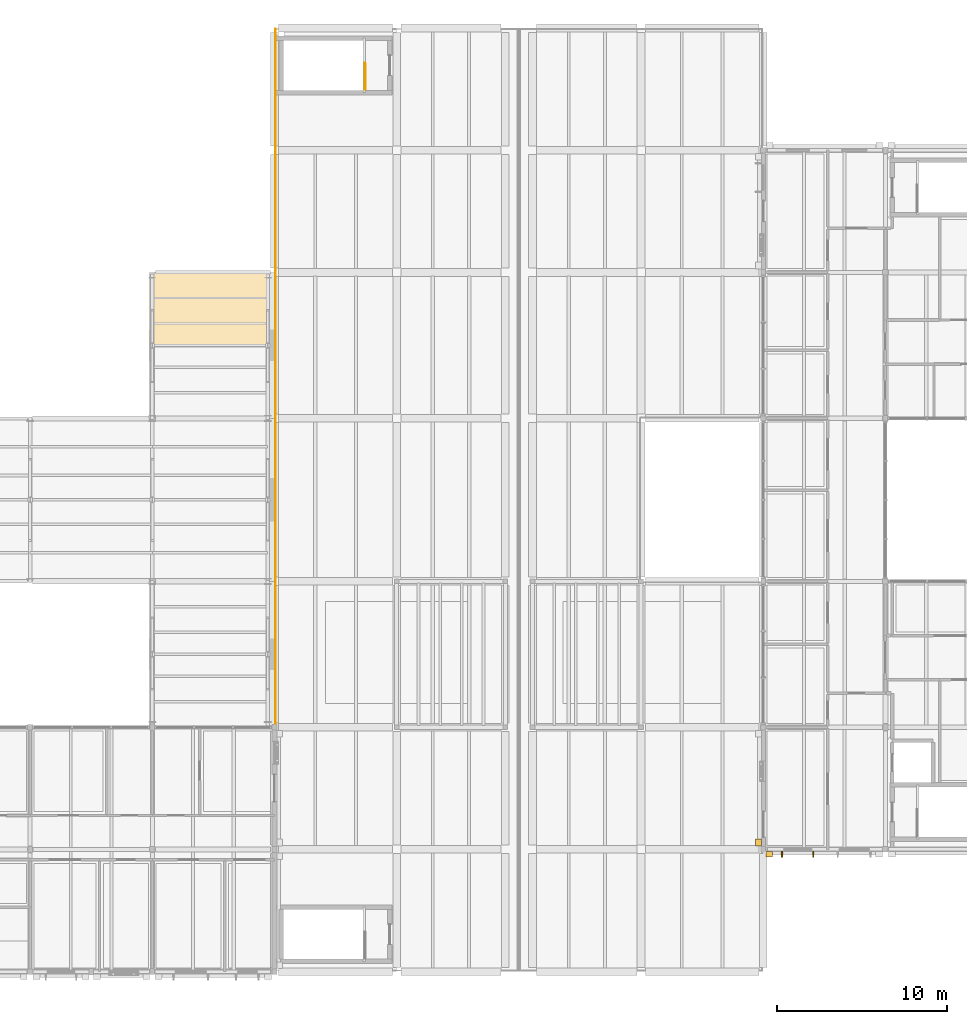
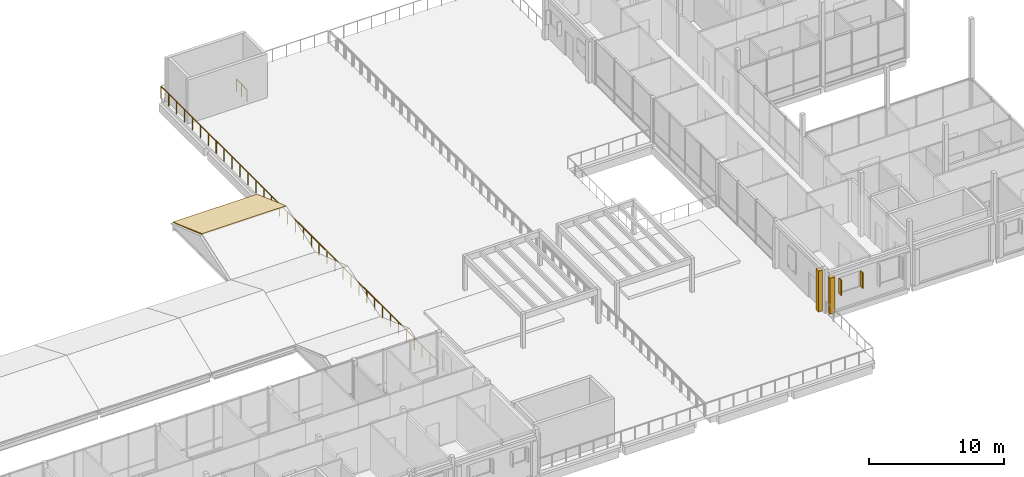
# One storey, part 113 of 115: 3 coverings, 2 railings, 2 shading devices.
"""IFC4 building model written with IfcOpenShell, lengths in metres."""

from ifc_helpers import new_model, si_unit, direction, frame, origin, origin_2d, place, context, subcontext, project, spatial, polyline, rectangle, circle, outline, extrude, material, layer, layer_set, type_object, element, save


model = new_model("IFC4")

# Units and contexts
model_context = context("Model", 3, precision=1e-05, world=origin(), true_north=direction((0.0, 1.0)))
body_context = subcontext(model_context, "Body", "Model", "MODEL_VIEW")
ifc_project = project(units=[si_unit("LENGTHUNIT", "METRE"), si_unit("AREAUNIT", "SQUARE_METRE"), si_unit("VOLUMEUNIT", "CUBIC_METRE"), si_unit("PLANEANGLEUNIT", "RADIAN"), si_unit("MASSUNIT", "GRAM", prefix="KILO")], contexts=[model_context])

# Site, building, storey
site_placement = place(None, origin())
site = spatial("IfcSite", under=ifc_project, at=site_placement, CompositionType="ELEMENT")
building_placement = place(site_placement, origin())
building = spatial("IfcBuilding", under=site, at=building_placement, Name="Hawrajan Terrace Health Centre", CompositionType="ELEMENT")
storey_placement = place(building_placement, frame((0.0, 0.0, 9.0)))
storey = spatial("IfcBuildingStorey", under=building, at=storey_placement, Name="L02", CompositionType="ELEMENT", Elevation=9.0)

# Coverings
ifc_material_1 = material(Name="Precast concrete C40/50", Category="concrete")
ifc_layer_1 = layer(ifc_material_1, 0.340087890625)
ifc_layer_set_1 = layer_set([ifc_layer_1], Name="Precast concrete C40/50")
covering_type_1 = type_object("IfcCoveringType", Name="ArtDecoStonePilaster", PredefinedType="CLADDING", material=ifc_layer_set_1)
covering_1_placement = place(storey_placement, frame((144.159912109375, 11.114990234375, 0.0), z_axis=(0.0, 0.0, 1.0), x_axis=(1.0, 0.0, 0.0)))
element("IfcCovering", 1, at=covering_1_placement, inside=storey, type_object=covering_type_1, Name="Art Deco fluted limestone pilaster FPIL-L02-0282", PredefinedType="CLADDING", context=body_context, shape_type="SweptSolid", body=[
    extrude(rectangle(XDim=0.39990234375, YDim=0.340087890625, at=origin_2d()), origin(), (0.0, 0.0, 1.0), 3.219970703125),
])
covering_2_placement = place(storey_placement, frame((143.514892578125, 11.800048828125, 0.0), z_axis=(0.0, 0.0, 1.0), x_axis=(0.0, 1.0, 0.0)))
element("IfcCovering", 2, at=covering_2_placement, inside=storey, type_object=covering_type_1, Name="Art Deco fluted limestone pilaster FPIL-L02-0284", PredefinedType="CLADDING", context=body_context, shape_type="SweptSolid", body=[
    extrude(rectangle(XDim=0.39990234375, YDim=0.340087890625, at=origin_2d()), origin(), (0.0, 0.0, 1.0), 3.679931640625),
])

# Shading devices
ifc_material_2 = material(Name="Anodized bronze mashrabiya vertical solar fin")
ifc_layer_2 = layer(ifc_material_2, 0.080078125)
ifc_layer_set_2 = layer_set([ifc_layer_2], Name="Anodized bronze mashrabiya vertical solar fin")
shading_device_type = type_object("IfcShadingDeviceType", Name="MashrabiyaVerticalFin", PredefinedType="USERDEFINED", material=ifc_layer_set_2)
for number, where, z_axis, x_axis, name in (
    (3, (144.9150390625, 11.10498046875, 1.35009765625), (0.0, 0.0, 1.0), (1.0, 0.0, 0.0), "Bronze mashrabiya solar fin FIN-L02-0191"),
    (4, (146.7451171875, 11.10498046875, 1.35009765625), (0.0, 0.0, 1.0), (1.0, 0.0, 0.0), "Bronze mashrabiya solar fin FIN-L02-0192"),
):
    element("IfcShadingDevice", number, at=place(storey_placement, frame(where, z_axis=z_axis, x_axis=x_axis)), inside=storey, type_object=shading_device_type, Name=name, ObjectType="SOLAR_FIN", PredefinedType="USERDEFINED", context=body_context, shape_type="SweptSolid", body=[
        extrude(rectangle(XDim=0.080078125, YDim=0.360107421875, at=origin_2d()), origin(), (0.0, 0.0, 1.0), 1.39990234375),
    ])

# Railing
ifc_material_3 = material(Name="Painted steel stair well guard", Category="steel")
railing_type_1 = type_object("IfcRailingType", Name="StairWellGuard_1120", PredefinedType="GUARDRAIL", material=ifc_material_3)
railing_1_placement = place(storey_placement, frame((120.340087890625, 56.179931640625, 0.0)))
element("IfcRailing", 5, at=railing_1_placement, inside=storey, type_object=railing_type_1, Name="Stair top well guard ST-7", PredefinedType="GUARDRAIL", context=body_context, shape_type="SweptSolid", body=[
    extrude(circle(Radius=0.02392578125, at=origin_2d()), frame((0.0, 0.02880859375, 1.09619140625), z_axis=(0.0, 1.0, 0.0), x_axis=(-1.0, 0.0, 0.0)), (0.0, 0.0, 1.0), 1.50244140625),
    extrude(circle(Radius=0.02099609375, at=origin_2d()), origin(), (0.0, 0.0, 1.0), 1.067138671875),
    extrude(circle(Radius=0.02099609375, at=origin_2d()), frame((0.0, 0.780029296875, 0.0)), (0.0, 0.0, 1.0), 1.067138671875),
    extrude(circle(Radius=0.02099609375, at=origin_2d()), frame((0.0, 1.56005859375, 0.0)), (0.0, 0.0, 1.0), 1.067138671875),
])

# Covering
ifc_material_4 = material(Name="Standing-seam zinc roofing and PIR insulation")
ifc_layer_3 = layer(ifc_material_4, 0.0849609375)
ifc_layer_set_3 = layer_set([ifc_layer_3], Name="Standing-seam zinc roofing and PIR insulation")
covering_type_2 = type_object("IfcCoveringType", Name="StandingSeamZinc_Roofing", PredefinedType="ROOFING", material=ifc_layer_set_3)
covering_3_placement = place(storey_placement, frame((107.800048828125, 41.10009765625, 1.635009765625), z_axis=(0.0, 0.339129881803, 0.94073956187), x_axis=(1.0, 0.0, 0.0)))
element("IfcCovering", 6, at=covering_3_placement, inside=storey, type_object=covering_type_2, Name="Standing-seam zinc roof RF-V1-14-TRS-NC-N", PredefinedType="ROOFING", context=body_context, shape_type="SweptSolid", body=[
    extrude(outline(polyline([(0.0, 0.0), (7.179931640625, 0.0), (7.179931640625, 4.570664253718343), (0.0, 4.570664253718343), (0.0, 0.0)])), origin(), (0.0, 0.0, -1.0), 0.0849609375),
])

# Railing
ifc_material_5 = material(Name="Anodized bronze post and balustrade guard")
railing_type_2 = type_object("IfcRailingType", Name="TerraceGuard_1120", PredefinedType="GUARDRAIL", material=ifc_material_5)
railing_2_placement = place(storey_placement, frame((115.06005859375, 18.8115234375, 0.0)))
element("IfcRailing", 7, at=railing_2_placement, inside=storey, type_object=railing_type_2, Name="Terrace perimeter guard L02-003", PredefinedType="GUARDRAIL", context=body_context, shape_type="SweptSolid", body=[
    extrude(circle(Radius=0.02392578125, at=origin_2d()), frame((0.0, 0.02880859375, 1.09619140625), z_axis=(0.0, 1.0, 0.0), x_axis=(-1.0, 0.0, 0.0)), (0.0, 0.0, 1.0), 40.870849609375),
    extrude(circle(Radius=0.02099609375, at=origin_2d()), origin(), (0.0, 0.0, 1.0), 1.067138671875),
    extrude(circle(Radius=0.02099609375, at=origin_2d()), frame((0.0, 1.16943359375, 0.0)), (0.0, 0.0, 1.0), 1.067138671875),
    extrude(circle(Radius=0.02099609375, at=origin_2d()), frame((0.0, 2.3388671875, 0.0)), (0.0, 0.0, 1.0), 1.067138671875),
    extrude(circle(Radius=0.02099609375, at=origin_2d()), frame((0.0, 3.508056640625, 0.0)), (0.0, 0.0, 1.0), 1.067138671875),
    extrude(circle(Radius=0.02099609375, at=origin_2d()), frame((0.0, 4.677490234375, 0.0)), (0.0, 0.0, 1.0), 1.067138671875),
    extrude(circle(Radius=0.02099609375, at=origin_2d()), frame((0.0, 5.846923828125, 0.0)), (0.0, 0.0, 1.0), 1.067138671875),
    extrude(circle(Radius=0.02099609375, at=origin_2d()), frame((0.0, 7.016357421875, 0.0)), (0.0, 0.0, 1.0), 1.067138671875),
    extrude(circle(Radius=0.02099609375, at=origin_2d()), frame((0.0, 8.185791015625, 0.0)), (0.0, 0.0, 1.0), 1.067138671875),
    extrude(circle(Radius=0.02099609375, at=origin_2d()), frame((0.0, 9.35498046875, 0.0)), (0.0, 0.0, 1.0), 1.067138671875),
    extrude(circle(Radius=0.02099609375, at=origin_2d()), frame((0.0, 10.5244140625, 0.0)), (0.0, 0.0, 1.0), 1.067138671875),
    extrude(circle(Radius=0.02099609375, at=origin_2d()), frame((0.0, 11.69384765625, 0.0)), (0.0, 0.0, 1.0), 1.067138671875),
    extrude(circle(Radius=0.02099609375, at=origin_2d()), frame((0.0, 12.86328125, 0.0)), (0.0, 0.0, 1.0), 1.067138671875),
    extrude(circle(Radius=0.02099609375, at=origin_2d()), frame((0.0, 14.03271484375, 0.0)), (0.0, 0.0, 1.0), 1.067138671875),
    extrude(circle(Radius=0.02099609375, at=origin_2d()), frame((0.0, 15.201904296875, 0.0)), (0.0, 0.0, 1.0), 1.067138671875),
    extrude(circle(Radius=0.02099609375, at=origin_2d()), frame((0.0, 16.371337890625, 0.0)), (0.0, 0.0, 1.0), 1.067138671875),
    extrude(circle(Radius=0.02099609375, at=origin_2d()), frame((0.0, 17.540771484375, 0.0)), (0.0, 0.0, 1.0), 1.067138671875),
    extrude(circle(Radius=0.02099609375, at=origin_2d()), frame((0.0, 18.710205078125, 0.0)), (0.0, 0.0, 1.0), 1.067138671875),
    extrude(circle(Radius=0.02099609375, at=origin_2d()), frame((0.0, 19.879638671875, 0.0)), (0.0, 0.0, 1.0), 1.067138671875),
    extrude(circle(Radius=0.02099609375, at=origin_2d()), frame((0.0, 21.048828125, 0.0)), (0.0, 0.0, 1.0), 1.067138671875),
    extrude(circle(Radius=0.02099609375, at=origin_2d()), frame((0.0, 22.21826171875, 0.0)), (0.0, 0.0, 1.0), 1.067138671875),
    extrude(circle(Radius=0.02099609375, at=origin_2d()), frame((0.0, 23.3876953125, 0.0)), (0.0, 0.0, 1.0), 1.067138671875),
    extrude(circle(Radius=0.02099609375, at=origin_2d()), frame((0.0, 24.55712890625, 0.0)), (0.0, 0.0, 1.0), 1.067138671875),
    extrude(circle(Radius=0.02099609375, at=origin_2d()), frame((0.0, 25.7265625, 0.0)), (0.0, 0.0, 1.0), 1.067138671875),
    extrude(circle(Radius=0.02099609375, at=origin_2d()), frame((0.0, 26.895751953125, 0.0)), (0.0, 0.0, 1.0), 1.067138671875),
    extrude(circle(Radius=0.02099609375, at=origin_2d()), frame((0.0, 28.065185546875, 0.0)), (0.0, 0.0, 1.0), 1.067138671875),
    extrude(circle(Radius=0.02099609375, at=origin_2d()), frame((0.0, 29.234619140625, 0.0)), (0.0, 0.0, 1.0), 1.067138671875),
    extrude(circle(Radius=0.02099609375, at=origin_2d()), frame((0.0, 30.404052734375, 0.0)), (0.0, 0.0, 1.0), 1.067138671875),
    extrude(circle(Radius=0.02099609375, at=origin_2d()), frame((0.0, 31.573486328125, 0.0)), (0.0, 0.0, 1.0), 1.067138671875),
    extrude(circle(Radius=0.02099609375, at=origin_2d()), frame((0.0, 32.74267578125, 0.0)), (0.0, 0.0, 1.0), 1.067138671875),
    extrude(circle(Radius=0.02099609375, at=origin_2d()), frame((0.0, 33.912109375, 0.0)), (0.0, 0.0, 1.0), 1.067138671875),
    extrude(circle(Radius=0.02099609375, at=origin_2d()), frame((0.0, 35.08154296875, 0.0)), (0.0, 0.0, 1.0), 1.067138671875),
    extrude(circle(Radius=0.02099609375, at=origin_2d()), frame((0.0, 36.2509765625, 0.0)), (0.0, 0.0, 1.0), 1.067138671875),
    extrude(circle(Radius=0.02099609375, at=origin_2d()), frame((0.0, 37.42041015625, 0.0)), (0.0, 0.0, 1.0), 1.067138671875),
    extrude(circle(Radius=0.02099609375, at=origin_2d()), frame((0.0, 38.589599609375, 0.0)), (0.0, 0.0, 1.0), 1.067138671875),
    extrude(circle(Radius=0.02099609375, at=origin_2d()), frame((0.0, 39.759033203125, 0.0)), (0.0, 0.0, 1.0), 1.067138671875),
    extrude(circle(Radius=0.02099609375, at=origin_2d()), frame((0.0, 40.928466796875, 0.0)), (0.0, 0.0, 1.0), 1.067138671875),
])

save(model, "model.ifc")
